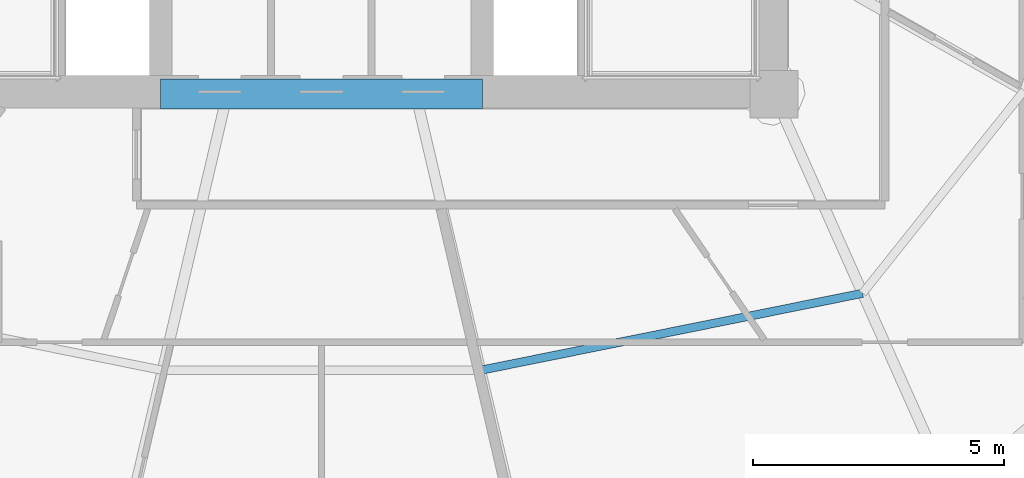
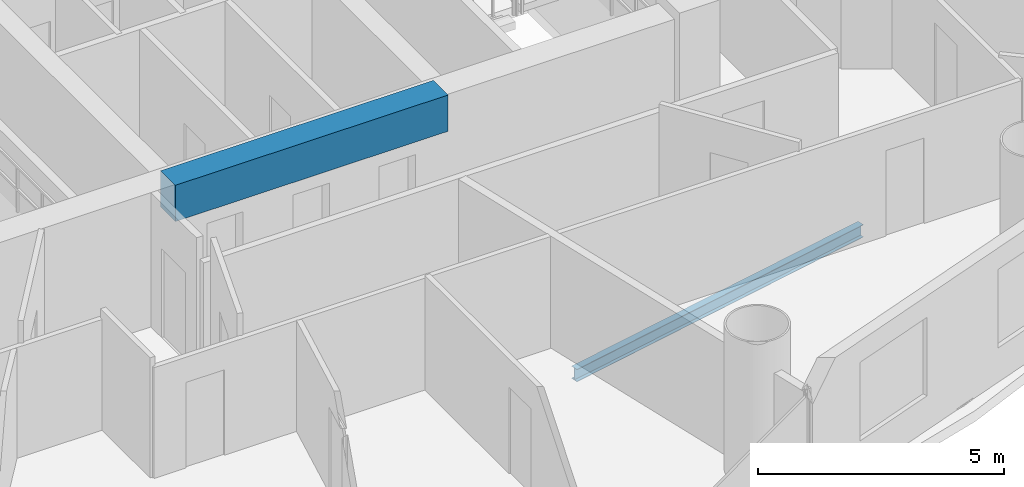
# One storey, part 6 of 26: 2 beams.
"""IFC4 building model written with IfcOpenShell, lengths in metres."""

from ifc_helpers import new_model, si_unit, direction, frame, origin, origin_2d, place, context, subcontext, project, spatial, rectangle, i_section, extrude, material, material_profile, profile_set, type_object, element, save


model = new_model("IFC4")

# Units and contexts
model_context = context("Model", 3, precision=1e-05, world=origin(), true_north=direction((-0.2419218956, 0.970295726276)))
body_context = subcontext(model_context, "Body", "Model", "MODEL_VIEW")
ifc_project = project(units=[si_unit("LENGTHUNIT", "METRE"), si_unit("AREAUNIT", "SQUARE_METRE"), si_unit("VOLUMEUNIT", "CUBIC_METRE"), si_unit("PLANEANGLEUNIT", "RADIAN"), si_unit("MASSUNIT", "GRAM", prefix="KILO")], contexts=[model_context])

# Site, building, storey
site_placement = place(None, origin())
site = spatial("IfcSite", under=ifc_project, at=site_placement, CompositionType="ELEMENT")
building_placement = place(site_placement, origin())
building = spatial("IfcBuilding", under=site, at=building_placement, Name="Cobrevalo Terracotta Tower", CompositionType="ELEMENT")
storey_placement = place(building_placement, frame((0.0, 0.0, 139.0)))
storey = spatial("IfcBuildingStorey", under=building, at=storey_placement, Name="L36", CompositionType="ELEMENT", Elevation=139.0)

# Beams
ifc_material_1 = material(Name="Concrete C60", Category="concrete")
ifc_material_profile_1 = material_profile(ifc_material_1, rectangle(XDim=0.60009765625, YDim=0.89990234375, at=origin_2d()), Name="RC CB 600x900")
ifc_profile_set_1 = profile_set([ifc_material_profile_1], Name="Concrete C60")
beam_type_1 = type_object("IfcBeamType", Name="Structural Beam RC CB 600x900 (Concrete C60)", PredefinedType="BEAM", material=ifc_profile_set_1)
beam_1_placement = place(storey_placement, frame((34.800048828125, 18.800048828125, 2.8798828125), z_axis=(1.0, 0.0, 0.0), x_axis=(0.0, 1.0, 0.0)))
element("IfcBeam", 1, at=beam_1_placement, inside=storey, type_object=beam_type_1, Name="L36 core coupling beam 1", PredefinedType="BEAM", context=body_context, shape_type="SweptSolid", body=[
    extrude(rectangle(XDim=0.60009765625, YDim=0.89990234375, at=origin_2d()), origin(), (0.0, 0.0, 1.0), 6.39990234375),
])
ifc_material_2 = material(Name="Steel S355", Category="steel")
ifc_material_profile_2 = material_profile(ifc_material_2, i_section(OverallWidth=0.1650390625, OverallDepth=0.31005859375, WebThickness=0.005859375, FlangeThickness=0.009765625, at=origin_2d()), Name="W 310x38.7")
ifc_profile_set_2 = profile_set([ifc_material_profile_2], Name="Steel S355")
beam_type_2 = type_object("IfcBeamType", Name="Structural Joist W 310x38.7 (Steel S355)", PredefinedType="JOIST", material=ifc_profile_set_2)
beam_2_placement = place(storey_placement, frame((41.16064453125, 13.306396484375, -0.425048828125), z_axis=(0.980293928329, 0.197544461026, 0.0), x_axis=(-0.197544461026, 0.980293928329, 0.0)))
element("IfcBeam", 2, at=beam_2_placement, inside=storey, type_object=beam_type_2, Name="L36 circumferential secondary floor joist 13", PredefinedType="JOIST", context=body_context, shape_type="SweptSolid", body=[
    extrude(i_section(OverallWidth=0.1650390625, OverallDepth=0.31005859375, WebThickness=0.005859375, FlangeThickness=0.009765625, at=origin_2d()), origin(), (0.0, 0.0, 1.0), 7.75634765625),
])

save(model, "model.ifc")
